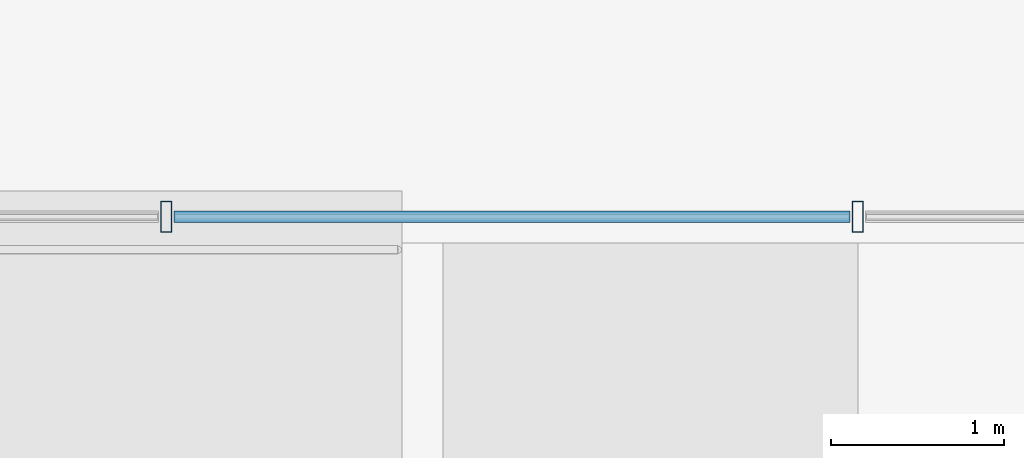
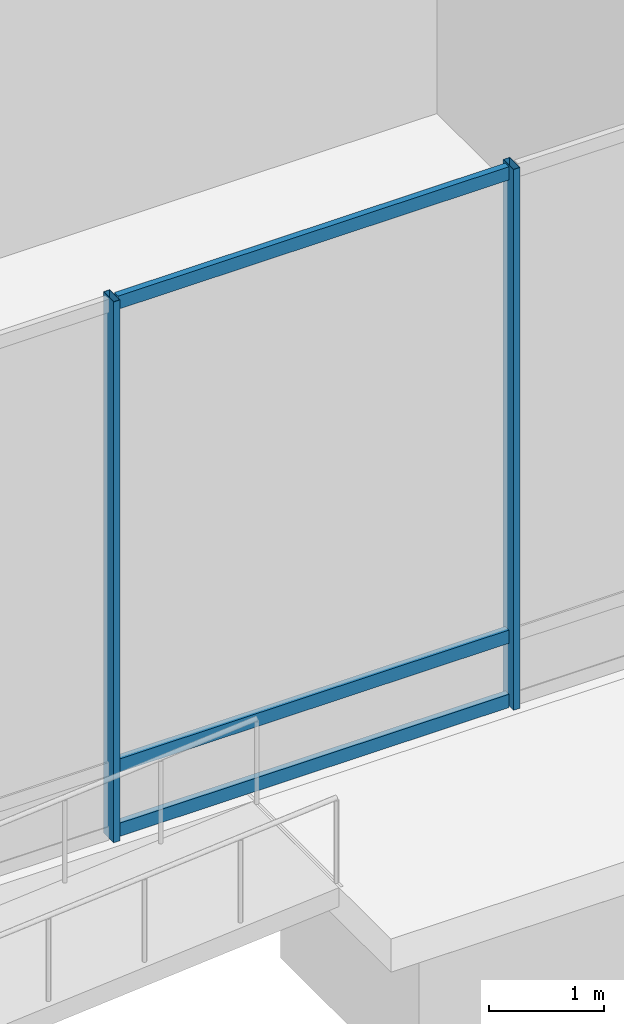
# One storey, part 5 of 34: 5 members, 1 element without a shape of its own.
"""IFC4 building model written with IfcOpenShell, lengths in metres."""

from ifc_helpers import new_model, si_unit, direction, frame, origin, origin_2d, place, context, subcontext, project, spatial, hollow_rectangle, extrude, material, layer, layer_set, material_profile, profile_set, type_object, element, aggregate, save


model = new_model("IFC4")

# Units and contexts
model_context = context("Model", 3, precision=1e-05, world=origin(), true_north=direction((0.0, 1.0)))
body_context = subcontext(model_context, "Body", "Model", "MODEL_VIEW")
ifc_project = project(units=[si_unit("LENGTHUNIT", "METRE"), si_unit("AREAUNIT", "SQUARE_METRE"), si_unit("VOLUMEUNIT", "CUBIC_METRE"), si_unit("PLANEANGLEUNIT", "RADIAN"), si_unit("MASSUNIT", "GRAM", prefix="KILO")], contexts=[model_context])

# Site, building, storey
site_placement = place(None, origin())
site = spatial("IfcSite", under=ifc_project, at=site_placement, CompositionType="ELEMENT")
building_placement = place(site_placement, origin())
building = spatial("IfcBuilding", under=site, at=building_placement, Name="Barlavira Tower and Art Museum", CompositionType="ELEMENT")
storey_placement = place(building_placement, origin())
storey = spatial("IfcBuildingStorey", under=building, at=storey_placement, Name="L00", CompositionType="ELEMENT", Elevation=0.0)

# Curtain wall, members
ifc_material_1 = material(Name="Low-iron coastal laminated glass", Category="glass")
ifc_layer = layer(ifc_material_1, 0.179931640625, Name="Low-iron coastal laminated glass")
ifc_layer_set = layer_set([ifc_layer], Name="Low-iron coastal laminated glass")
curtain_wall_type = type_object("IfcCurtainWallType", Name="Pale-Metal Unitised Curtain Wall Zone 1", PredefinedType="NOTDEFINED", material=ifc_layer_set)
curtain_wall_placement = place(storey_placement, origin())
curtain_wall = element("IfcCurtainWall", 1, at=curtain_wall_placement, inside=storey, type_object=curtain_wall_type, Name="L00 Curtain Wall CW1-L00-S", PredefinedType="NOTDEFINED")
ifc_material_2 = material(Name="Pale anodised aluminium", Category="aluminium")
ifc_material_profile_1 = material_profile(ifc_material_2, hollow_rectangle(XDim=0.06494140625, YDim=0.179931640625, WallThickness=0.00390625, at=origin_2d()), Name="ALU-MULL 65x180x4")
ifc_profile_set_1 = profile_set([ifc_material_profile_1], Name="Pale anodised aluminium")
member_type_1 = type_object("IfcMemberType", Name="Curtain Wall Pale-Metal Mullion 65x180", PredefinedType="MULLION", material=ifc_profile_set_1)
member_1_placement = place(storey_placement, frame((-4.0, -27.64990234375, 0.0), z_axis=(0.0, 0.0, 1.0), x_axis=(1.0, 0.0, 0.0)))
member_1 = element("IfcMember", 2, at=member_1_placement, type_object=member_type_1, Name="CW1-L00-S Mullion 1", PredefinedType="MULLION", context=body_context, shape_type="SweptSolid", body=[
    extrude(hollow_rectangle(XDim=0.06494140625, YDim=0.179931640625, WallThickness=0.00390625, at=origin_2d()), origin(), (0.0, 0.0, 1.0), 5.719970703125),
])
member_2_placement = place(storey_placement, frame((0.0, -27.64990234375, 0.0), z_axis=(0.0, 0.0, 1.0), x_axis=(1.0, 0.0, 0.0)))
member_2 = element("IfcMember", 3, at=member_2_placement, type_object=member_type_1, Name="CW1-L00-S Mullion 2", PredefinedType="MULLION", context=body_context, shape_type="SweptSolid", body=[
    extrude(hollow_rectangle(XDim=0.06494140625, YDim=0.179931640625, WallThickness=0.00390625, at=origin_2d()), origin(), (0.0, 0.0, 1.0), 5.719970703125),
])
ifc_material_profile_2 = material_profile(ifc_material_2, hollow_rectangle(XDim=0.06494140625, YDim=0.139892578125, WallThickness=0.00390625, at=origin_2d()), Name="ALU-TRAN 65x140x4")
ifc_profile_set_2 = profile_set([ifc_material_profile_2], Name="Pale anodised aluminium")
member_type_2 = type_object("IfcMemberType", Name="Curtain Wall Pale-Metal Transom 65x140", PredefinedType="USERDEFINED", material=ifc_profile_set_2)
member_3_placement = place(storey_placement, frame((-3.955078125, -27.64990234375, 0.070068359375), z_axis=(1.0, 0.0, 0.0), x_axis=(0.0, 1.0, 0.0)))
member_3 = element("IfcMember", 4, at=member_3_placement, type_object=member_type_2, Name="CW1-L00-S Transom 1.1", ObjectType="TRANSOM", PredefinedType="USERDEFINED", context=body_context, shape_type="SweptSolid", body=[
    extrude(hollow_rectangle(XDim=0.06494140625, YDim=0.139892578125, WallThickness=0.00390625, at=origin_2d()), origin(), (0.0, 0.0, 1.0), 3.91015625),
])
member_4_placement = place(storey_placement, frame((-3.955078125, -27.64990234375, 0.75), z_axis=(1.0, 0.0, 0.0), x_axis=(0.0, 1.0, 0.0)))
member_4 = element("IfcMember", 5, at=member_4_placement, type_object=member_type_2, Name="CW1-L00-S Transom 1.2", ObjectType="TRANSOM", PredefinedType="USERDEFINED", context=body_context, shape_type="SweptSolid", body=[
    extrude(hollow_rectangle(XDim=0.06494140625, YDim=0.139892578125, WallThickness=0.00390625, at=origin_2d()), origin(), (0.0, 0.0, 1.0), 3.91015625),
])
member_5_placement = place(storey_placement, frame((-3.955078125, -27.64990234375, 5.64990234375), z_axis=(1.0, 0.0, 0.0), x_axis=(0.0, 1.0, 0.0)))
member_5 = element("IfcMember", 6, at=member_5_placement, type_object=member_type_2, Name="CW1-L00-S Transom 1.3", ObjectType="TRANSOM", PredefinedType="USERDEFINED", context=body_context, shape_type="SweptSolid", body=[
    extrude(hollow_rectangle(XDim=0.06494140625, YDim=0.139892578125, WallThickness=0.00390625, at=origin_2d()), origin(), (0.0, 0.0, 1.0), 3.91015625),
])
aggregate(curtain_wall, [member_1, member_2, member_3, member_4, member_5])

save(model, "model.ifc")
